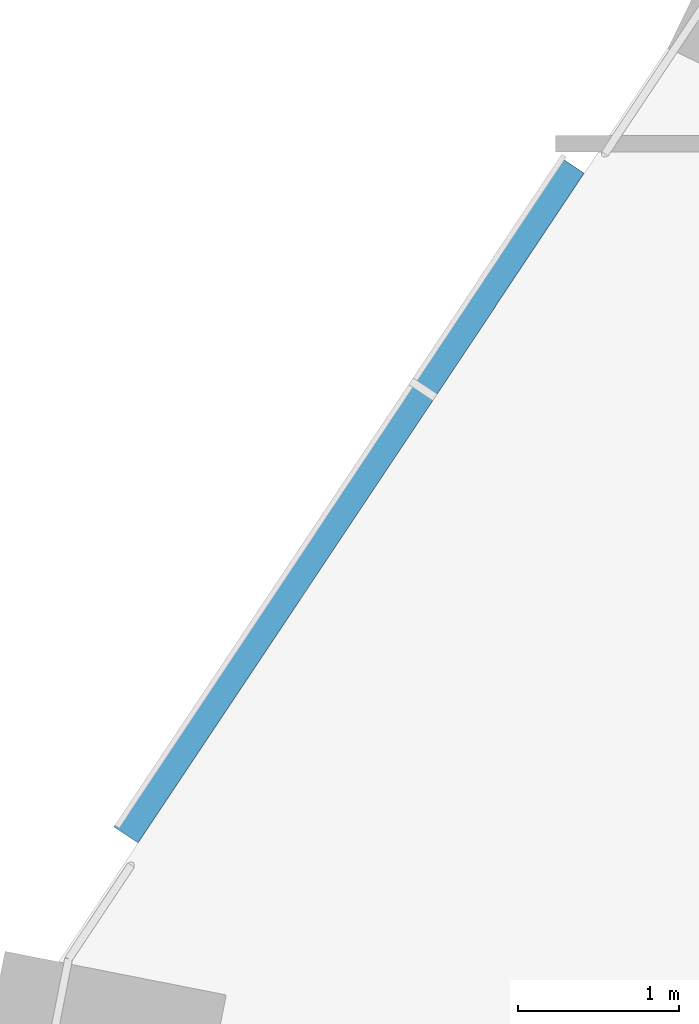
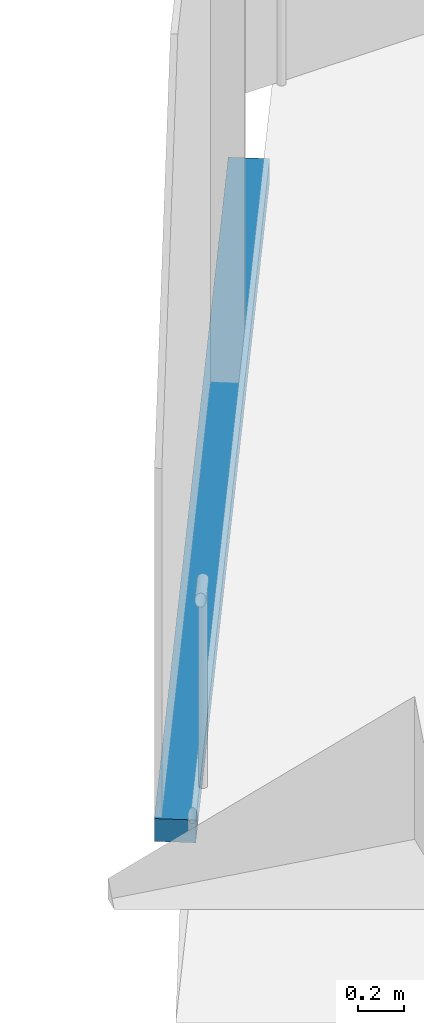
# One storey, part 7 of 32: 1 member, 1 element without a shape of its own.
"""IFC4 building model written with IfcOpenShell, lengths in metres."""

from ifc_helpers import new_model, si_unit, direction, frame, origin, origin_2d, place, context, subcontext, project, spatial, rectangle, extrude, material, material_profile, profile_set, type_object, element, aggregate, save


model = new_model("IFC4")

# Units and contexts
model_context = context("Model", 3, precision=1e-05, world=origin(), true_north=direction((0.0, 1.0)))
body_context = subcontext(model_context, "Body", "Model", "MODEL_VIEW")
ifc_project = project(units=[si_unit("LENGTHUNIT", "METRE"), si_unit("AREAUNIT", "SQUARE_METRE"), si_unit("VOLUMEUNIT", "CUBIC_METRE"), si_unit("PLANEANGLEUNIT", "RADIAN"), si_unit("MASSUNIT", "GRAM", prefix="KILO")], contexts=[model_context])

# Site, building, storey
site_placement = place(None, origin())
site = spatial("IfcSite", under=ifc_project, at=site_placement, CompositionType="ELEMENT")
building_placement = place(site_placement, origin())
building = spatial("IfcBuilding", under=site, at=building_placement, Name="Orlundy Tower", CompositionType="ELEMENT")
storey_placement = place(building_placement, frame((0.0, 0.0, 58.800048828125)))
storey = spatial("IfcBuildingStorey", under=building, at=storey_placement, Name="L13", CompositionType="ELEMENT", Elevation=58.800048828125)

# Curtain wall, member
ifc_material_1 = material(Name="Aluminium bronze anodised", Category="aluminium")
curtain_wall_type = type_object("IfcCurtainWallType", Name="CW1 wall", PredefinedType="NOTDEFINED", material=ifc_material_1)
curtain_wall_placement = place(storey_placement, origin())
curtain_wall = element("IfcCurtainWall", 1, at=curtain_wall_placement, inside=storey, type_object=curtain_wall_type, Name="CW1 run 014", PredefinedType="NOTDEFINED")
ifc_material_2 = material(Name="Aluminium bronze anodised", Category="aluminium")
ifc_material_profile = material_profile(ifc_material_2, rectangle(XDim=0.179931640625, YDim=0.1201171875, at=origin_2d()), Name="CW1 transom 180x120")
ifc_profile_set = profile_set([ifc_material_profile], Name="Aluminium bronze anodised")
member_type = type_object("IfcMemberType", Name="CW1 transom 180x120", PredefinedType="USERDEFINED", material=ifc_profile_set)
member_placement = place(storey_placement, frame((-31.01953125, 7.708740234375, -0.340087890625), z_axis=(0.554373133939, 0.832268243036, 0.0), x_axis=(-0.832268243036, 0.554373133939, 0.0)))
member = element("IfcMember", 2, at=member_placement, type_object=member_type, Name="CW1 transom", ObjectType="TRANSOM", PredefinedType="USERDEFINED", context=body_context, shape_type="SweptSolid", body=[
    extrude(rectangle(XDim=0.179931640625, YDim=0.1201171875, at=origin_2d()), origin(), (0.0, 0.0, 1.0), 4.996337890625),
])
aggregate(curtain_wall, [member])

save(model, "model.ifc")
